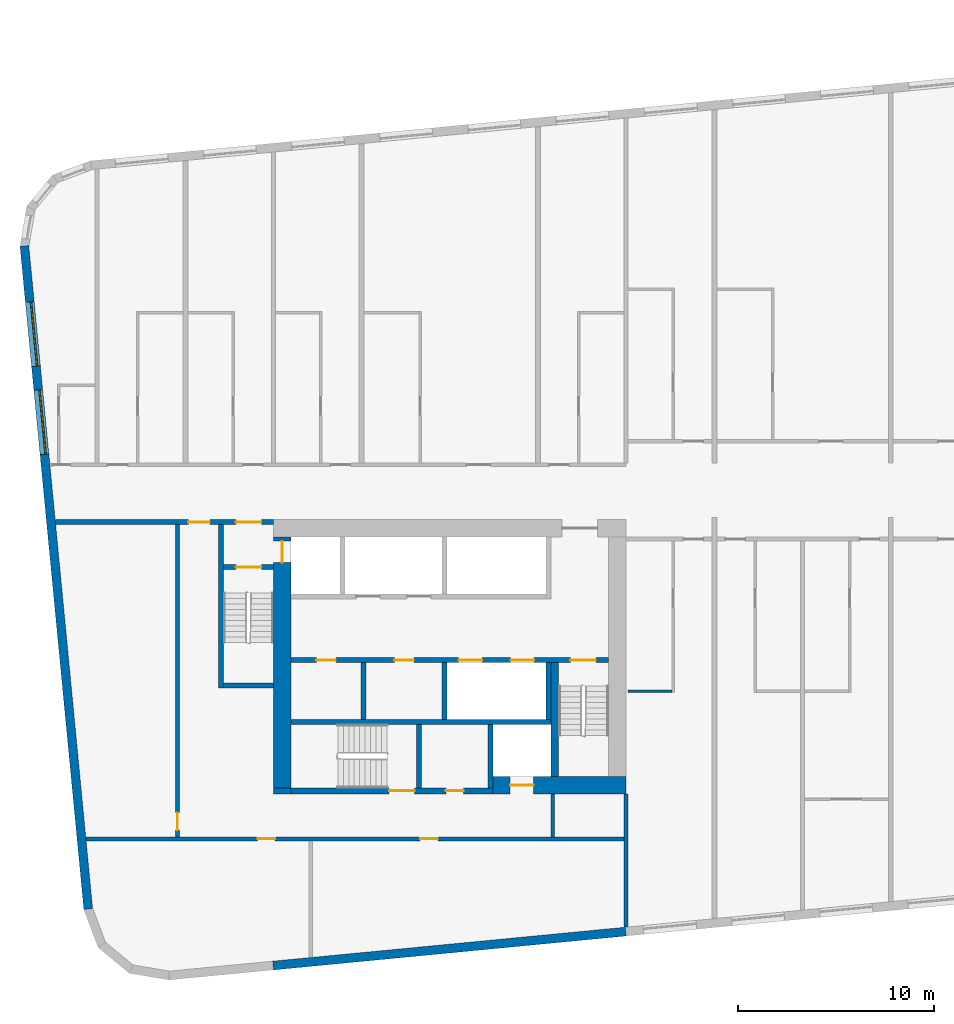
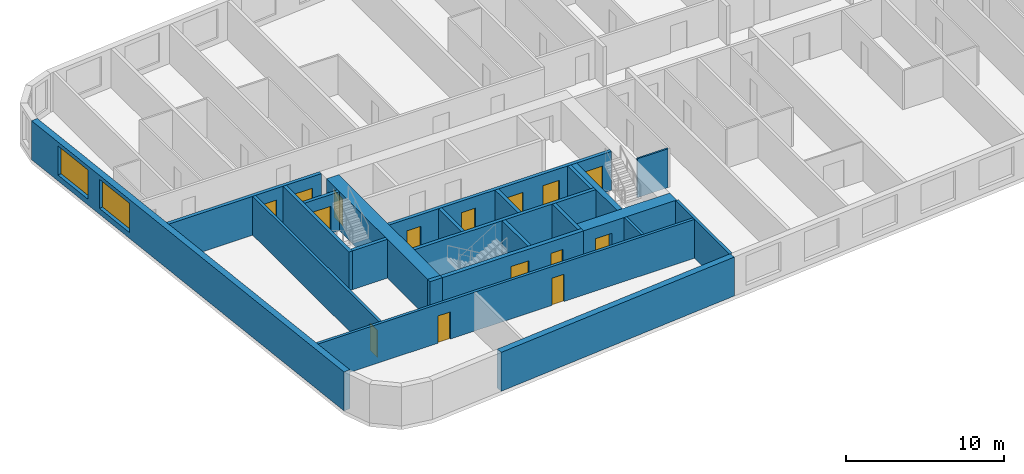
# One storey, part 2 of 12: 23 walls, 15 doors, 2 windows, 17 openings.
"""IFC4 building model written with IfcOpenShell, lengths in metres."""

import ifcopenshell
import ifcopenshell.guid

model = None  # the IFC model being written
_history = None  # IfcOwnerHistory: only IFC2X3 demands one
_inside = {}  # id of a spatial element -> (the spatial element, [elements in it])
_under = {}  # id of a project, library or spatial element -> (it, [spatial elements below it])
_declared = {}  # id of a project -> (the project, [libraries it declares])
_typed = {}  # id of a type object -> (the type object, [elements of that type])
_made_of = {}  # id of a material, layer set ... -> (it, [elements and type objects made of it])


def new_model(schema):
    """Start an empty IFC model of exactly this schema.

    Asked for "IFC4X3", IfcOpenShell would pick the latest addendum, in which some entities
    have other attributes; the version numbers below select the first issue.
    IFC2X3 requires an IfcOwnerHistory on every rooted entity: one is made here for all.
    """
    global model, _history
    if schema == "IFC4X3":
        model = ifcopenshell.file(schema_version=(4, 3, 0, 0))
    else:
        model = ifcopenshell.file(schema=schema)
    _inside.clear()
    _under.clear()
    _declared.clear()
    _typed.clear()
    _made_of.clear()
    _history = None
    if model.schema == "IFC2X3":
        org = make("IfcOrganization", Name="unknown")
        user = make(
            "IfcPersonAndOrganization",
            ThePerson=make("IfcPerson", FamilyName="unknown"),
            TheOrganization=org,
        )
        app = make(
            "IfcApplication",
            ApplicationDeveloper=org,
            Version="unknown",
            ApplicationFullName="unknown",
            ApplicationIdentifier="unknown",
        )
        _history = make(
            "IfcOwnerHistory",
            OwningUser=user,
            OwningApplication=app,
            ChangeAction="ADDED",
            CreationDate=0,
        )
    return model


def make(cls, **values):
    """One entity of the class cls with the attributes given. An attribute that is None is left unset."""
    return model.create_entity(
        cls, **{name: value for name, value in values.items() if value is not None}
    )


def rooted(cls, **values):
    """An entity with a GlobalId (a new one), such as an element, a storey or a relation."""
    return make(cls, GlobalId=ifcopenshell.guid.new(), OwnerHistory=_history, **values)


def si_unit(unit_type, name, prefix=None):
    """IfcSIUnit, for example si_unit("LENGTHUNIT", "METRE", prefix="MILLI")."""
    return make("IfcSIUnit", UnitType=unit_type, Prefix=prefix, Name=name)


def assignment(units):
    """IfcUnitAssignment: the units of a project."""
    return None if units is None else make("IfcUnitAssignment", Units=units)


def point(xyz):
    """IfcCartesianPoint."""
    return None if xyz is None else make("IfcCartesianPoint", Coordinates=xyz)


def direction(xyz):
    """IfcDirection."""
    return None if xyz is None else make("IfcDirection", DirectionRatios=xyz)


def frame(location, z_axis=None, x_axis=None):
    """IfcAxis2Placement3D, a coordinate frame: its origin and axes. An axis left out is left unset."""
    return make(
        "IfcAxis2Placement3D",
        Location=point(location),
        Axis=direction(z_axis),
        RefDirection=direction(x_axis),
    )


def frame_2d(location, x_axis=None):
    """IfcAxis2Placement2D, a coordinate frame in the plane: its origin and x axis."""
    return make(
        "IfcAxis2Placement2D", Location=point(location), RefDirection=direction(x_axis)
    )


def origin():
    """The frame at (0, 0, 0) with its axes left unset."""
    return frame((0.0, 0.0, 0.0))


def place(relative_to, where):
    """IfcLocalPlacement: puts the frame where relative to a parent placement (None: the world)."""
    return make(
        "IfcLocalPlacement", PlacementRelTo=relative_to, RelativePlacement=where
    )


def context(
    kind, dimensions, precision=None, world=None, true_north=None, identifier=None
):
    """IfcGeometricRepresentationContext, for example the 3D "Model" context."""
    return make(
        "IfcGeometricRepresentationContext",
        ContextIdentifier=identifier,
        ContextType=kind,
        CoordinateSpaceDimension=dimensions,
        Precision=precision,
        WorldCoordinateSystem=world,
        TrueNorth=true_north,
    )


def subcontext(parent, identifier, kind, view, scale=None):
    """IfcGeometricRepresentationSubContext, for example "Body" below "Model"."""
    return make(
        "IfcGeometricRepresentationSubContext",
        ContextIdentifier=identifier,
        ContextType=kind,
        ParentContext=parent,
        TargetScale=scale,
        TargetView=view,
    )


def project(units=None, contexts=None):
    """IfcProject with its units and contexts."""
    return rooted(
        "IfcProject",
        Name="project",
        RepresentationContexts=contexts,
        UnitsInContext=assignment(units),
    )


def spatial(cls, under=None, at=None, **own):
    """A site, building, storey or space (cls), placed at a placement, below another one or the project."""
    s = rooted(cls, ObjectPlacement=at, **own)
    if under is not None:
        _under.setdefault(under.id(), (under, []))[1].append(s)
    return s


def profile(cls, at=None, kind="AREA", **sizes):
    """A parametric profile (cls). Its sizes go by their IFC names, for example OverallWidth=200.0."""
    return make(cls, ProfileType=kind, Position=at, **sizes)


def rectangle(**sizes):
    """IfcRectangleProfileDef."""
    return profile("IfcRectangleProfileDef", **sizes)


def extrude(swept, where, along, depth):
    """IfcExtrudedAreaSolid: the profile swept, set in the frame where, extruded along a direction by depth."""
    return make(
        "IfcExtrudedAreaSolid",
        SweptArea=swept,
        Position=where,
        ExtrudedDirection=direction(along),
        Depth=depth,
    )


def shape(context_of_items, identifier, shape_type, items):
    """IfcShapeRepresentation: the items that make up one representation, for example the "Body"."""
    return make(
        "IfcShapeRepresentation",
        ContextOfItems=context_of_items,
        RepresentationIdentifier=identifier,
        RepresentationType=shape_type,
        Items=items,
    )


def material(Name=None, Category=None):
    """IfcMaterial."""
    return make("IfcMaterial", Name=Name, Category=Category)


def layer(
    of_material, thickness, ventilated=None, Name=None, Category=None, Priority=None
):
    """IfcMaterialLayer: one layer of a wall or slab, of a material (None: an air gap)."""
    return make(
        "IfcMaterialLayer",
        Material=of_material,
        LayerThickness=thickness,
        IsVentilated=ventilated,
        Name=Name,
        Category=Category,
        Priority=Priority,
    )


def layer_set(layers, Name=None):
    """IfcMaterialLayerSet."""
    return make("IfcMaterialLayerSet", MaterialLayers=layers, LayerSetName=Name)


def made_of(thing, what):
    """Note that an element or type object is made of a material, layer set ...; save() writes the relation."""
    if what is not None:
        _made_of.setdefault(what.id(), (what, []))[1].append(thing)
    return thing


def type_object(cls, material=None, **own):
    """A type object (cls), such as IfcWallType, which elements share."""
    return made_of(rooted(cls, **own), material)


def element(
    cls,
    number,
    at=None,
    inside=None,
    cuts=None,
    type_object=None,
    material=None,
    context=None,
    identifier="Body",
    shape_type=None,
    held_by="IfcProductDefinitionShape",
    body=None,
    shapes=None,
    **own,
):
    """One element of the class cls, such as IfcWall. Its Tag is "e" and its number.

    at: its placement. inside: the storey or other place that contains it. cuts: it is an
    opening in that element (IfcRelVoidsElement). A single representation is given by context,
    identifier, shape_type and body (its items); several are given by shapes. held_by: the class
    of the entity that holds the representations. save() writes the other relations.
    """
    e = rooted(cls, Tag="e%d" % number, ObjectPlacement=at, **own)
    if body is not None:
        shapes = [shape(context, identifier, shape_type, body)]
    if shapes is not None:
        e.Representation = make(held_by, Representations=shapes)
    if inside is not None:
        _inside.setdefault(inside.id(), (inside, []))[1].append(e)
    if cuts is not None:
        rooted(
            "IfcRelVoidsElement", RelatingBuildingElement=cuts, RelatedOpeningElement=e
        )
    if type_object is not None:
        _typed.setdefault(type_object.id(), (type_object, []))[1].append(e)
    return made_of(e, material)


def fill(opening, filler):
    """IfcRelFillsElement: the door or window that sits in an opening."""
    return rooted(
        "IfcRelFillsElement",
        RelatingOpeningElement=opening,
        RelatedBuildingElement=filler,
    )


def aggregate(whole, parts):
    """IfcRelAggregates: a whole, such as a stair, and the parts it consists of."""
    return rooted("IfcRelAggregates", RelatingObject=whole, RelatedObjects=parts)


def save(model, path):
    """Write the relations noted so far, then the file.

    IfcRelAggregates (storeys below a building ...), IfcRelContainedInSpatialStructure (elements
    in a storey), IfcRelDefinesByType, IfcRelAssociatesMaterial and IfcRelDeclares: one each for
    every whole, place, type object, material and project.
    """
    for whole, parts in _under.values():
        aggregate(whole, parts)
    for where, things in _inside.values():
        rooted(
            "IfcRelContainedInSpatialStructure",
            RelatedElements=things,
            RelatingStructure=where,
        )
    for kind, things in _typed.values():
        rooted("IfcRelDefinesByType", RelatedObjects=things, RelatingType=kind)
    for what, things in _made_of.values():
        rooted("IfcRelAssociatesMaterial", RelatedObjects=things, RelatingMaterial=what)
    for by, libraries in _declared.values():
        rooted("IfcRelDeclares", RelatingContext=by, RelatedDefinitions=libraries)
    model.write(path)


model = new_model("IFC4")

# Units and contexts
model_context = context("Model", 3, precision=1e-05, world=origin(), true_north=direction((0.0, 1.0)))
body_context = subcontext(model_context, "Body", "Model", "MODEL_VIEW")
ifc_project = project(units=[si_unit("LENGTHUNIT", "METRE"), si_unit("AREAUNIT", "SQUARE_METRE"), si_unit("VOLUMEUNIT", "CUBIC_METRE"), si_unit("PLANEANGLEUNIT", "RADIAN"), si_unit("MASSUNIT", "GRAM", prefix="KILO")], contexts=[model_context])

# Site, building, storey
site_placement = place(None, origin())
site = spatial("IfcSite", under=ifc_project, at=site_placement, CompositionType="ELEMENT")
building_placement = place(site_placement, origin())
building = spatial("IfcBuilding", under=site, at=building_placement, Name="Kajstack Hotel Tower", CompositionType="ELEMENT")
storey_placement = place(building_placement, frame((0.0, 0.0, 203.199951171875)))
storey = spatial("IfcBuildingStorey", under=building, at=storey_placement, Name="L49", CompositionType="ELEMENT", Elevation=203.199951171875)

# Wall, opening, door
ifc_material_1 = material(Name="Concrete C60/75", Category="concrete")
ifc_layer_1 = layer(ifc_material_1, 0.89990234375)
ifc_layer_set_1 = layer_set([ifc_layer_1], Name="Core wall 900")
wall_type_1 = type_object("IfcWallType", Name="Core wall 900", PredefinedType="SHEAR", material=ifc_layer_set_1)
wall_1_placement = place(storey_placement, frame((-20.300048828125, -15.050048828125, 0.0), z_axis=(0.0, 0.0, 1.0), x_axis=(1.0, 0.0, 0.0)))
wall_1 = element("IfcWall", 1, at=wall_1_placement, inside=storey, type_object=wall_type_1, Name="Core wall W RS", PredefinedType="SHEAR", context=body_context, shape_type="SweptSolid", body=[
    extrude(rectangle(XDim=6.800048828125, YDim=0.89990234375, at=frame_2d((3.39990234375, 0.0))), origin(), (0.0, 0.0, 1.0), 3.0),
])
opening_1_placement = place(wall_1_placement, frame((0.875, 0.0, 0.0)))
opening_1 = element("IfcOpeningElement", 2, at=opening_1_placement, cuts=wall_1, Name="Opening LD-SV1", PredefinedType="OPENING", context=body_context, shape_type="SweptSolid", body=[
    extrude(rectangle(XDim=1.199951171875, YDim=2.10009765625, at=frame_2d((0.60009765625, 1.050048828125))), frame((0.0, 0.4599609375, 0.0), z_axis=(0.0, -1.0, 0.0), x_axis=(1.0, 0.0, 0.0)), (0.0, 0.0, 1.0), 0.919921875),
])
ifc_material_2 = material(Name="Stainless steel", Category="steel")
door_type_1 = type_object("IfcDoorType", Name="Lift landing door 1200", OperationType="SLIDING_TO_LEFT", PredefinedType="DOOR", material=ifc_material_2)
door_1_placement = place(opening_1_placement, origin())
door_1 = element("IfcDoor", 3, at=door_1_placement, inside=storey, type_object=door_type_1, Name="Landing door SV1", OperationType="SLIDING_TO_LEFT", OverallHeight=2.10009765625, OverallWidth=1.199951171875, PredefinedType="DOOR", context=body_context, shape_type="SweptSolid", body=[
    extrude(rectangle(XDim=1.199951171875, YDim=2.10009765625, at=frame_2d((0.60009765625, 1.050048828125))), frame((0.0, 0.02490234375, 0.0), z_axis=(0.0, -1.0, 0.0), x_axis=(1.0, 0.0, 0.0)), (0.0, 0.0, 1.0), 0.050048828125),
])
fill(opening_1, door_1)

# Wall
wall_2_placement = place(storey_placement, frame((-31.5, -15.35009765625, 0.0), z_axis=(0.0, 0.0, 1.0), x_axis=(1.0, 0.0, 0.0)))
element("IfcWall", 4, at=wall_2_placement, inside=storey, type_object=wall_type_1, Name="Core wall W RSW", PredefinedType="SHEAR", context=body_context, shape_type="SweptSolid", body=[
    extrude(rectangle(XDim=0.89990234375, YDim=0.300048828125, at=frame_2d((0.449951171875, 0.0))), origin(), (0.0, 0.0, 1.0), 3.0),
])

# Wall, opening, door
wall_3_placement = place(storey_placement, frame((-31.050048828125, -15.199951171875, 0.0), z_axis=(0.0, 0.0, 1.0), x_axis=(0.0, 1.0, 0.0)))
wall_3 = element("IfcWall", 5, at=wall_3_placement, inside=storey, type_object=wall_type_1, Name="Core wall W RW", PredefinedType="SHEAR", context=body_context, shape_type="SweptSolid", body=[
    extrude(rectangle(XDim=12.800048828125, YDim=0.89990234375, at=frame_2d((6.39990234375, 0.0))), origin(), (0.0, 0.0, 1.0), 3.0),
])
opening_2_placement = place(wall_3_placement, frame((11.5, 0.0, 0.0)))
opening_2 = element("IfcOpeningElement", 6, at=opening_2_placement, cuts=wall_3, Name="Opening LD-FF1", PredefinedType="OPENING", context=body_context, shape_type="SweptSolid", body=[
    extrude(rectangle(XDim=1.10009765625, YDim=2.10009765625, at=frame_2d((0.550048828125, 1.050048828125))), frame((0.0, 0.4599609375, 0.0), z_axis=(0.0, -1.0, 0.0), x_axis=(1.0, 0.0, 0.0)), (0.0, 0.0, 1.0), 0.919921875),
])
door_type_2 = type_object("IfcDoorType", Name="Fire-fighting lift landing door 1100", OperationType="SLIDING_TO_LEFT", PredefinedType="DOOR", material=ifc_material_2)
door_2_placement = place(opening_2_placement, origin())
door_2 = element("IfcDoor", 7, at=door_2_placement, inside=storey, type_object=door_type_2, Name="Landing door FF1", OperationType="SLIDING_TO_RIGHT", OverallHeight=2.10009765625, OverallWidth=1.10009765625, PredefinedType="DOOR", context=body_context, shape_type="SweptSolid", body=[
    extrude(rectangle(XDim=1.10009765625, YDim=2.10009765625, at=frame_2d((0.550048828125, 1.050048828125))), frame((0.0, 0.02490234375, 0.0), z_axis=(0.0, -1.0, 0.0), x_axis=(1.0, 0.0, 0.0)), (0.0, 0.0, 1.0), 0.050048828125),
])
fill(opening_2, door_2)

# Walls
ifc_material_3 = material(Name="Twin-frame gypsum board on steel studs, mineral wool", Category="steel")
ifc_layer_2 = layer(ifc_material_3, 0.199951171875)
ifc_layer_set_2 = layer_set([ifc_layer_2], Name="Demising wall 200")
wall_type_2 = type_object("IfcWallType", Name="Demising wall 200", PredefinedType="PARTITIONING", material=ifc_layer_set_2)
wall_4_placement = place(storey_placement, frame((-13.5, -22.300048828125, 0.0), z_axis=(0.0, 0.0, 1.0), x_axis=(0.0, 1.0, 0.0)))
element("IfcWall", 8, at=wall_4_placement, inside=storey, type_object=wall_type_2, Name="G-wall-L49-002", PredefinedType="PARTITIONING", context=body_context, shape_type="SweptSolid", body=[
    extrude(rectangle(XDim=6.800048828125, YDim=0.199951171875, at=frame_2d((3.39990234375, 0.0))), origin(), (0.0, 0.0, 1.0), 3.0),
])
ifc_material_4 = material(Name="Concrete C40/50", Category="concrete")
ifc_layer_3 = layer(ifc_material_4, 0.449951171875)
ifc_layer_set_3 = layer_set([ifc_layer_3], Name="EW-CORE")
wall_type_3 = type_object("IfcWallType", Name="EW-CORE", PredefinedType="SOLIDWALL", material=ifc_layer_set_3)
wall_5_placement = place(storey_placement, frame((-31.521484375, -24.26171875, 0.0), z_axis=(0.0, 0.0, 1.0), x_axis=(0.995396454615, 0.095843091245, 0.0)))
element("IfcWall", 9, at=wall_5_placement, inside=storey, type_object=wall_type_3, Name="E-wall-L49-04-01", PredefinedType="SOLIDWALL", context=body_context, shape_type="SweptSolid", body=[
    extrude(rectangle(XDim=18.083251953125, YDim=0.449951171875, at=frame_2d((9.04150390625, 0.0))), origin(), (0.0, 0.0, 1.0), 3.0),
])

# Wall, openings, windows
ifc_material_5 = material(Name="Terracotta-faced brick masonry", Category="masonry")
ifc_layer_4 = layer(ifc_material_5, 0.449951171875)
ifc_layer_set_4 = layer_set([ifc_layer_4], Name="EW-TERRA")
wall_type_4 = type_object("IfcWallType", Name="EW-TERRA", PredefinedType="SOLIDWALL", material=ifc_layer_set_4)
wall_6_placement = place(storey_placement, frame((-44.21435546875, 12.465576171875, 0.0), z_axis=(0.0, 0.0, 1.0), x_axis=(0.095847314626, -0.995396047952, 0.0)))
wall_6 = element("IfcWall", 10, at=wall_6_placement, inside=storey, type_object=wall_type_4, Name="E-wall-L49-00-00", PredefinedType="SOLIDWALL", context=body_context, shape_type="SweptSolid", body=[
    extrude(rectangle(XDim=33.999755859375, YDim=0.449951171875, at=frame_2d((17.0, 0.0))), origin(), (0.0, 0.0, 1.0), 3.0),
])
opening_3_placement = place(wall_6_placement, frame((2.864990234375, 0.0, 0.449951171875)))
opening_3 = element("IfcOpeningElement", 11, at=opening_3_placement, cuts=wall_6, Name="Opening W2", PredefinedType="OPENING", context=body_context, shape_type="SweptSolid", body=[
    extrude(rectangle(XDim=3.300048828125, YDim=2.25, at=frame_2d((1.64990234375, 1.125))), frame((0.0, 0.23486328125, 0.0), z_axis=(0.0, -1.0, 0.0), x_axis=(1.0, 0.0, 0.0)), (0.0, 0.0, 1.0), 0.469970703125),
])
opening_4_placement = place(wall_6_placement, frame((7.3857421875, 0.0, 0.449951171875)))
opening_4 = element("IfcOpeningElement", 12, at=opening_4_placement, cuts=wall_6, Name="Opening W2", PredefinedType="OPENING", context=body_context, shape_type="SweptSolid", body=[
    extrude(rectangle(XDim=3.300048828125, YDim=2.25, at=frame_2d((1.64990234375, 1.125))), frame((0.0, 0.23486328125, 0.0), z_axis=(0.0, -1.0, 0.0), x_axis=(1.0, 0.0, 0.0)), (0.0, 0.0, 1.0), 0.469970703125),
])
ifc_material_6 = material(Name="Timber-aluminium window, triple glazed", Category="wood")
window_type = type_object("IfcWindowType", Name="WG2", PartitioningType="SINGLE_PANEL", PredefinedType="WINDOW", material=ifc_material_6)
window_1_placement = place(opening_3_placement, origin())
window_1 = element("IfcWindow", 13, at=window_1_placement, inside=storey, type_object=window_type, Name="Window W2 L49-00", OverallHeight=2.25, OverallWidth=3.300048828125, PartitioningType="SINGLE_PANEL", PredefinedType="WINDOW", context=body_context, shape_type="SweptSolid", body=[
    extrude(rectangle(XDim=3.300048828125, YDim=2.25, at=frame_2d((1.64990234375, 1.125))), frame((0.0, 0.090087890625, 0.0), z_axis=(0.0, -1.0, 0.0), x_axis=(1.0, 0.0, 0.0)), (0.0, 0.0, 1.0), 0.06005859375),
])
fill(opening_3, window_1)
window_2_placement = place(opening_4_placement, origin())
window_2 = element("IfcWindow", 14, at=window_2_placement, inside=storey, type_object=window_type, Name="Window W2 L49-00", OverallHeight=2.25, OverallWidth=3.300048828125, PartitioningType="SINGLE_PANEL", PredefinedType="WINDOW", context=body_context, shape_type="SweptSolid", body=[
    extrude(rectangle(XDim=3.300048828125, YDim=2.25, at=frame_2d((1.64990234375, 1.125))), frame((0.0, 0.090087890625, 0.0), z_axis=(0.0, -1.0, 0.0), x_axis=(1.0, 0.0, 0.0)), (0.0, 0.0, 1.0), 0.06005859375),
])
fill(opening_4, window_2)

# Walls
ifc_material_7 = material(Name="Gypsum board and tiled backer on steel studs", Category="steel")
ifc_layer_5 = layer(ifc_material_7, 0.125)
ifc_layer_set_5 = layer_set([ifc_layer_5], Name="En-suite wall 125")
wall_type_5 = type_object("IfcWallType", Name="En-suite wall 125", PredefinedType="PARTITIONING", material=ifc_layer_set_5)
wall_7_placement = place(storey_placement, frame((-13.39990234375, -10.261962890625, 0.0), z_axis=(0.0, 0.0, 1.0), x_axis=(1.0, 0.0, 0.0)))
element("IfcWall", 15, at=wall_7_placement, inside=storey, type_object=wall_type_5, Name="G-wall-L49-031", PredefinedType="PARTITIONING", context=body_context, shape_type="SweptSolid", body=[
    extrude(rectangle(XDim=2.25, YDim=0.125, at=frame_2d((1.125, 0.0))), origin(), (0.0, 0.0, 1.0), 3.0),
])
ifc_material_8 = material(Name="Concrete C50/60", Category="concrete")
ifc_layer_6 = layer(ifc_material_8, 0.300048828125)
ifc_layer_set_6 = layer_set([ifc_layer_6], Name="Hoistway divider wall 300")
wall_type_6 = type_object("IfcWallType", Name="Hoistway divider wall 300", PredefinedType="SHEAR", material=ifc_layer_set_6)
wall_8_placement = place(storey_placement, frame((-22.77490234375, -11.699951171875, 0.0), z_axis=(0.0, 0.0, 1.0), x_axis=(0.0, 1.0, 0.0)))
element("IfcWall", 16, at=wall_8_placement, inside=storey, type_object=wall_type_6, Name="Core wall W BP2", PredefinedType="SHEAR", context=body_context, shape_type="SweptSolid", body=[
    extrude(rectangle(XDim=2.89990234375, YDim=0.25, at=frame_2d((1.449951171875, 0.0))), origin(), (0.0, 0.0, 1.0), 3.0),
])
ifc_material_9 = material(Name="Concrete block masonry", Category="masonry")
ifc_layer_7 = layer(ifc_material_9, 0.25)
ifc_layer_set_7 = layer_set([ifc_layer_7], Name="Riser partition 250")
wall_type_7 = type_object("IfcWallType", Name="Riser partition 250", PredefinedType="PARTITIONING", material=ifc_layer_set_7)
wall_9_placement = place(storey_placement, frame((-26.89990234375, -11.699951171875, 0.0), z_axis=(0.0, 0.0, 1.0), x_axis=(0.0, 1.0, 0.0)))
element("IfcWall", 17, at=wall_9_placement, inside=storey, type_object=wall_type_7, Name="Partition W BF0", PredefinedType="PARTITIONING", context=body_context, shape_type="SweptSolid", body=[
    extrude(rectangle(XDim=2.89990234375, YDim=0.25, at=frame_2d((1.449951171875, 0.0))), origin(), (0.0, 0.0, 1.0), 3.0),
])

# Wall, openings, doors
ifc_material_10 = material(Name="Gypsum board on steel studs, mineral wool", Category="steel")
ifc_layer_8 = layer(ifc_material_10, 0.199951171875)
ifc_layer_set_8 = layer_set([ifc_layer_8], Name="Service partition 200")
wall_type_8 = type_object("IfcWallType", Name="Service partition 200", PredefinedType="PARTITIONING", material=ifc_layer_set_8)
wall_10_placement = place(storey_placement, frame((-42.631591796875, -1.625, 0.0), z_axis=(0.0, 0.0, 1.0), x_axis=(1.0, 0.0, 0.0)))
wall_10 = element("IfcWall", 18, at=wall_10_placement, inside=storey, type_object=wall_type_8, Name="Partition W SN", PredefinedType="PARTITIONING", context=body_context, shape_type="SweptSolid", body=[
    extrude(rectangle(XDim=11.131591796875, YDim=0.25, at=frame_2d((5.56591796875, 0.0))), origin(), (0.0, 0.0, 1.0), 3.0),
])
opening_5_placement = place(wall_10_placement, frame((9.20654296875, 0.0, 0.0)))
opening_5 = element("IfcOpeningElement", 19, at=opening_5_placement, cuts=wall_10, Name="Opening 49W08", PredefinedType="OPENING", context=body_context, shape_type="SweptSolid", body=[
    extrude(rectangle(XDim=1.300048828125, YDim=2.10009765625, at=frame_2d((0.64990234375, 1.050048828125))), frame((0.0, 0.135009765625, 0.0), z_axis=(0.0, -1.0, 0.0), x_axis=(1.0, 0.0, 0.0)), (0.0, 0.0, 1.0), 0.27001953125),
])
opening_6_placement = place(wall_10_placement, frame((6.781494140625, 0.0, 0.0)))
opening_6 = element("IfcOpeningElement", 20, at=opening_6_placement, cuts=wall_10, Name="Opening 49W10", PredefinedType="OPENING", context=body_context, shape_type="SweptSolid", body=[
    extrude(rectangle(XDim=1.10009765625, YDim=2.10009765625, at=frame_2d((0.550048828125, 1.050048828125))), frame((0.0, 0.135009765625, 0.0), z_axis=(0.0, -1.0, 0.0), x_axis=(1.0, 0.0, 0.0)), (0.0, 0.0, 1.0), 0.27001953125),
])
ifc_material_11 = material(Name="Steel leaf, fire-rated", Category="steel")
door_type_3 = type_object("IfcDoorType", Name="Fire lobby door 1300", OperationType="SINGLE_SWING_LEFT", PredefinedType="DOOR", material=ifc_material_11)
door_3_placement = place(opening_5_placement, origin())
door_3 = element("IfcDoor", 21, at=door_3_placement, inside=storey, type_object=door_type_3, Name="Door 49W08", OperationType="SINGLE_SWING_RIGHT", OverallHeight=2.10009765625, OverallWidth=1.300048828125, PredefinedType="DOOR", context=body_context, shape_type="SweptSolid", body=[
    extrude(rectangle(XDim=1.300048828125, YDim=2.10009765625, at=frame_2d((0.64990234375, 1.050048828125))), frame((0.0, 0.02490234375, 0.0), z_axis=(0.0, -1.0, 0.0), x_axis=(1.0, 0.0, 0.0)), (0.0, 0.0, 1.0), 0.050048828125),
])
fill(opening_5, door_3)
ifc_material_12 = material(Name="Timber leaf, fire-rated", Category="wood")
door_type_4 = type_object("IfcDoorType", Name="Service corridor door 1100", OperationType="SINGLE_SWING_LEFT", PredefinedType="DOOR", material=ifc_material_12)
door_4_placement = place(opening_6_placement, origin())
door_4 = element("IfcDoor", 22, at=door_4_placement, inside=storey, type_object=door_type_4, Name="Door 49W10", OperationType="SINGLE_SWING_RIGHT", OverallHeight=2.10009765625, OverallWidth=1.10009765625, PredefinedType="DOOR", context=body_context, shape_type="SweptSolid", body=[
    extrude(rectangle(XDim=1.10009765625, YDim=2.10009765625, at=frame_2d((0.550048828125, 1.050048828125))), frame((0.0, 0.02490234375, 0.0), z_axis=(0.0, -1.0, 0.0), x_axis=(1.0, 0.0, 0.0)), (0.0, 0.0, 1.0), 0.050048828125),
])
fill(opening_6, door_4)

# Wall
wall_11_placement = place(storey_placement, frame((-17.25, -17.699951171875, 0.0), z_axis=(0.0, 0.0, 1.0), x_axis=(0.0, 1.0, 0.0)))
element("IfcWall", 23, at=wall_11_placement, inside=storey, type_object=wall_type_8, Name="Partition W SCE", PredefinedType="PARTITIONING", context=body_context, shape_type="SweptSolid", body=[
    extrude(rectangle(XDim=2.199951171875, YDim=0.199951171875, at=frame_2d((1.10009765625, 0.0))), origin(), (0.0, 0.0, 1.0), 3.0),
])

# Wall, opening, door
wall_12_placement = place(storey_placement, frame((-36.39990234375, -17.699951171875, 0.0), z_axis=(0.0, 0.0, 1.0), x_axis=(0.0, 1.0, 0.0)))
wall_12 = element("IfcWall", 24, at=wall_12_placement, inside=storey, type_object=wall_type_8, Name="Partition W WRE", PredefinedType="PARTITIONING", context=body_context, shape_type="SweptSolid", body=[
    extrude(rectangle(XDim=15.949951171875, YDim=0.199951171875, at=frame_2d((7.97509765625, 0.0))), origin(), (0.0, 0.0, 1.0), 3.0),
])
opening_7_placement = place(wall_12_placement, frame((0.35009765625, 0.0, 0.0)))
opening_7 = element("IfcOpeningElement", 25, at=opening_7_placement, cuts=wall_12, Name="Opening 49W18", PredefinedType="OPENING", context=body_context, shape_type="SweptSolid", body=[
    extrude(rectangle(XDim=0.89990234375, YDim=2.10009765625, at=frame_2d((0.449951171875, 1.050048828125))), frame((0.0, 0.10986328125, 0.0), z_axis=(0.0, -1.0, 0.0), x_axis=(1.0, 0.0, 0.0)), (0.0, 0.0, 1.0), 0.219970703125),
])
door_type_5 = type_object("IfcDoorType", Name="Service door 900", OperationType="SINGLE_SWING_LEFT", PredefinedType="DOOR", material=ifc_material_12)
door_5_placement = place(opening_7_placement, origin())
door_5 = element("IfcDoor", 26, at=door_5_placement, inside=storey, type_object=door_type_5, Name="Door 49W18", OperationType="SINGLE_SWING_LEFT", OverallHeight=2.10009765625, OverallWidth=0.89990234375, PredefinedType="DOOR", context=body_context, shape_type="SweptSolid", body=[
    extrude(rectangle(XDim=0.89990234375, YDim=2.10009765625, at=frame_2d((0.449951171875, 1.050048828125))), frame((0.0, 0.02490234375, 0.0), z_axis=(0.0, -1.0, 0.0), x_axis=(1.0, 0.0, 0.0)), (0.0, 0.0, 1.0), 0.050048828125),
])
fill(opening_7, door_5)

# Wall, openings, doors
wall_13_placement = place(storey_placement, frame((-41.07421875, -17.800048828125, 0.0), z_axis=(0.0, 0.0, 1.0), x_axis=(1.0, 0.0, 0.0)))
wall_13 = element("IfcWall", 27, at=wall_13_placement, inside=storey, type_object=wall_type_8, Name="Partition W SLN", PredefinedType="PARTITIONING", context=body_context, shape_type="SweptSolid", body=[
    extrude(rectangle(XDim=27.47412109375, YDim=0.199951171875, at=frame_2d((13.737060546875, 0.0))), origin(), (0.0, 0.0, 1.0), 3.0),
])
opening_8_placement = place(wall_13_placement, frame((8.76171875, 0.0, 0.0)))
opening_8 = element("IfcOpeningElement", 28, at=opening_8_placement, cuts=wall_13, Name="Opening 49W16", PredefinedType="OPENING", context=body_context, shape_type="SweptSolid", body=[
    extrude(rectangle(XDim=0.89990234375, YDim=2.10009765625, at=frame_2d((0.449951171875, 1.050048828125))), frame((0.0, 0.10986328125, 0.0), z_axis=(0.0, -1.0, 0.0), x_axis=(1.0, 0.0, 0.0)), (0.0, 0.0, 1.0), 0.219970703125),
])
opening_9_placement = place(wall_13_placement, frame((17.0615234375, 0.0, 0.0)))
opening_9 = element("IfcOpeningElement", 29, at=opening_9_placement, cuts=wall_13, Name="Opening 49W17", PredefinedType="OPENING", context=body_context, shape_type="SweptSolid", body=[
    extrude(rectangle(XDim=0.89990234375, YDim=2.10009765625, at=frame_2d((0.449951171875, 1.050048828125))), frame((0.0, 0.10986328125, 0.0), z_axis=(0.0, -1.0, 0.0), x_axis=(1.0, 0.0, 0.0)), (0.0, 0.0, 1.0), 0.219970703125),
])
door_6_placement = place(opening_8_placement, origin())
door_6 = element("IfcDoor", 30, at=door_6_placement, inside=storey, type_object=door_type_5, Name="Door 49W16", OperationType="SINGLE_SWING_RIGHT", OverallHeight=2.10009765625, OverallWidth=0.89990234375, PredefinedType="DOOR", context=body_context, shape_type="SweptSolid", body=[
    extrude(rectangle(XDim=0.89990234375, YDim=2.10009765625, at=frame_2d((0.449951171875, 1.050048828125))), frame((0.0, 0.02490234375, 0.0), z_axis=(0.0, -1.0, 0.0), x_axis=(1.0, 0.0, 0.0)), (0.0, 0.0, 1.0), 0.050048828125),
])
fill(opening_8, door_6)
door_7_placement = place(opening_9_placement, origin())
door_7 = element("IfcDoor", 31, at=door_7_placement, inside=storey, type_object=door_type_5, Name="Door 49W17", OperationType="SINGLE_SWING_RIGHT", OverallHeight=2.10009765625, OverallWidth=0.89990234375, PredefinedType="DOOR", context=body_context, shape_type="SweptSolid", body=[
    extrude(rectangle(XDim=0.89990234375, YDim=2.10009765625, at=frame_2d((0.449951171875, 1.050048828125))), frame((0.0, 0.02490234375, 0.0), z_axis=(0.0, -1.0, 0.0), x_axis=(1.0, 0.0, 0.0)), (0.0, 0.0, 1.0), 0.050048828125),
])
fill(opening_9, door_7)

ifc_layer_9 = layer(ifc_material_8, 0.25)
ifc_layer_set_9 = layer_set([ifc_layer_9], Name="Shaft wall 250")
wall_type_9 = type_object("IfcWallType", Name="Shaft wall 250", PredefinedType="SHEAR", material=ifc_layer_set_9)
wall_14_placement = place(storey_placement, frame((-30.60009765625, -15.35009765625, 0.0), z_axis=(0.0, 0.0, 1.0), x_axis=(1.0, 0.0, 0.0)))
wall_14 = element("IfcWall", 32, at=wall_14_placement, inside=storey, type_object=wall_type_9, Name="Core wall W RSS", PredefinedType="SHEAR", context=body_context, shape_type="SweptSolid", body=[
    extrude(rectangle(XDim=10.300048828125, YDim=0.300048828125, at=frame_2d((5.14990234375, 0.0))), origin(), (0.0, 0.0, 1.0), 3.0),
])
opening_10_placement = place(wall_14_placement, frame((5.0, 0.0, 0.0)))
opening_10 = element("IfcOpeningElement", 33, at=opening_10_placement, cuts=wall_14, Name="Opening 49W12", PredefinedType="OPENING", context=body_context, shape_type="SweptSolid", body=[
    extrude(rectangle(XDim=1.300048828125, YDim=2.10009765625, at=frame_2d((0.64990234375, 1.050048828125))), frame((0.0, 0.159912109375, 0.0), z_axis=(0.0, -1.0, 0.0), x_axis=(1.0, 0.0, 0.0)), (0.0, 0.0, 1.0), 0.320068359375),
])
opening_11_placement = place(wall_14_placement, frame((7.89990234375, 0.0, 0.0)))
opening_11 = element("IfcOpeningElement", 34, at=opening_11_placement, cuts=wall_14, Name="Opening 49W13", PredefinedType="OPENING", context=body_context, shape_type="SweptSolid", body=[
    extrude(rectangle(XDim=0.89990234375, YDim=2.10009765625, at=frame_2d((0.449951171875, 1.050048828125))), frame((0.0, 0.159912109375, 0.0), z_axis=(0.0, -1.0, 0.0), x_axis=(1.0, 0.0, 0.0)), (0.0, 0.0, 1.0), 0.320068359375),
])
door_8_placement = place(opening_11_placement, origin())
door_8 = element("IfcDoor", 35, at=door_8_placement, inside=storey, type_object=door_type_5, Name="Door 49W13", OperationType="SINGLE_SWING_LEFT", OverallHeight=2.10009765625, OverallWidth=0.89990234375, PredefinedType="DOOR", context=body_context, shape_type="SweptSolid", body=[
    extrude(rectangle(XDim=0.89990234375, YDim=2.10009765625, at=frame_2d((0.449951171875, 1.050048828125))), frame((0.0, 0.02490234375, 0.0), z_axis=(0.0, -1.0, 0.0), x_axis=(1.0, 0.0, 0.0)), (0.0, 0.0, 1.0), 0.050048828125),
])
fill(opening_11, door_8)
door_type_6 = type_object("IfcDoorType", Name="Stair door 1300", OperationType="SINGLE_SWING_LEFT", PredefinedType="DOOR", material=ifc_material_11)
door_9_placement = place(opening_10_placement, origin())
door_9 = element("IfcDoor", 36, at=door_9_placement, inside=storey, type_object=door_type_6, Name="Door 49W12", OperationType="SINGLE_SWING_RIGHT", OverallHeight=2.10009765625, OverallWidth=1.300048828125, PredefinedType="DOOR", context=body_context, shape_type="SweptSolid", body=[
    extrude(rectangle(XDim=1.300048828125, YDim=2.10009765625, at=frame_2d((0.64990234375, 1.050048828125))), frame((0.0, 0.02490234375, 0.0), z_axis=(0.0, -1.0, 0.0), x_axis=(1.0, 0.0, 0.0)), (0.0, 0.0, 1.0), 0.050048828125),
])
fill(opening_10, door_9)

wall_15_placement = place(storey_placement, frame((-30.60009765625, -8.675048828125, 0.0), z_axis=(0.0, 0.0, 1.0), x_axis=(1.0, 0.0, 0.0)))
wall_15 = element("IfcWall", 37, at=wall_15_placement, inside=storey, type_object=wall_type_9, Name="Core wall W FB", PredefinedType="SHEAR", context=body_context, shape_type="SweptSolid", body=[
    extrude(rectangle(XDim=16.2001953125, YDim=0.25, at=frame_2d((8.10009765625, 0.0))), origin(), (0.0, 0.0, 1.0), 3.0),
])
opening_12_placement = place(wall_15_placement, frame((8.550048828125, 0.0, 0.0)))
opening_12 = element("IfcOpeningElement", 38, at=opening_12_placement, cuts=wall_15, Name="Opening LD-MR1", PredefinedType="OPENING", context=body_context, shape_type="SweptSolid", body=[
    extrude(rectangle(XDim=1.199951171875, YDim=2.10009765625, at=frame_2d((0.60009765625, 1.050048828125))), frame((0.0, 0.135009765625, 0.0), z_axis=(0.0, -1.0, 0.0), x_axis=(1.0, 0.0, 0.0)), (0.0, 0.0, 1.0), 0.27001953125),
])
opening_13_placement = place(wall_15_placement, frame((11.199951171875, 0.0, 0.0)))
opening_13 = element("IfcOpeningElement", 39, at=opening_13_placement, cuts=wall_15, Name="Opening LD-MR2", PredefinedType="OPENING", context=body_context, shape_type="SweptSolid", body=[
    extrude(rectangle(XDim=1.199951171875, YDim=2.10009765625, at=frame_2d((0.60009765625, 1.050048828125))), frame((0.0, 0.135009765625, 0.0), z_axis=(0.0, -1.0, 0.0), x_axis=(1.0, 0.0, 0.0)), (0.0, 0.0, 1.0), 0.27001953125),
])
opening_14_placement = place(wall_15_placement, frame((14.25, 0.0, 0.0)))
opening_14 = element("IfcOpeningElement", 40, at=opening_14_placement, cuts=wall_15, Name="Opening 49W11", PredefinedType="OPENING", context=body_context, shape_type="SweptSolid", body=[
    extrude(rectangle(XDim=1.300048828125, YDim=2.10009765625, at=frame_2d((0.64990234375, 1.050048828125))), frame((0.0, 0.135009765625, 0.0), z_axis=(0.0, -1.0, 0.0), x_axis=(1.0, 0.0, 0.0)), (0.0, 0.0, 1.0), 0.27001953125),
])
opening_15_placement = place(wall_15_placement, frame((1.28759765625, 0.0, 0.0)))
opening_15 = element("IfcOpeningElement", 41, at=opening_15_placement, cuts=wall_15, Name="Opening 49W14", PredefinedType="OPENING", context=body_context, shape_type="SweptSolid", body=[
    extrude(rectangle(XDim=1.0, YDim=2.10009765625, at=frame_2d((0.5, 1.050048828125))), frame((0.0, 0.135009765625, 0.0), z_axis=(0.0, -1.0, 0.0), x_axis=(1.0, 0.0, 0.0)), (0.0, 0.0, 1.0), 0.27001953125),
])
opening_16_placement = place(wall_15_placement, frame((5.262451171875, 0.0, 0.0)))
opening_16 = element("IfcOpeningElement", 42, at=opening_16_placement, cuts=wall_15, Name="Opening 49W15", PredefinedType="OPENING", context=body_context, shape_type="SweptSolid", body=[
    extrude(rectangle(XDim=1.0, YDim=2.10009765625, at=frame_2d((0.5, 1.050048828125))), frame((0.0, 0.135009765625, 0.0), z_axis=(0.0, -1.0, 0.0), x_axis=(1.0, 0.0, 0.0)), (0.0, 0.0, 1.0), 0.27001953125),
])
door_10_placement = place(opening_12_placement, origin())
door_10 = element("IfcDoor", 43, at=door_10_placement, inside=storey, type_object=door_type_1, Name="Landing door MR1", OperationType="SLIDING_TO_LEFT", OverallHeight=2.10009765625, OverallWidth=1.199951171875, PredefinedType="DOOR", context=body_context, shape_type="SweptSolid", body=[
    extrude(rectangle(XDim=1.199951171875, YDim=2.10009765625, at=frame_2d((0.60009765625, 1.050048828125))), frame((0.0, 0.02490234375, 0.0), z_axis=(0.0, -1.0, 0.0), x_axis=(1.0, 0.0, 0.0)), (0.0, 0.0, 1.0), 0.050048828125),
])
fill(opening_12, door_10)
door_11_placement = place(opening_13_placement, origin())
door_11 = element("IfcDoor", 44, at=door_11_placement, inside=storey, type_object=door_type_1, Name="Landing door MR2", OperationType="SLIDING_TO_RIGHT", OverallHeight=2.10009765625, OverallWidth=1.199951171875, PredefinedType="DOOR", context=body_context, shape_type="SweptSolid", body=[
    extrude(rectangle(XDim=1.199951171875, YDim=2.10009765625, at=frame_2d((0.60009765625, 1.050048828125))), frame((0.0, 0.02490234375, 0.0), z_axis=(0.0, -1.0, 0.0), x_axis=(1.0, 0.0, 0.0)), (0.0, 0.0, 1.0), 0.050048828125),
])
fill(opening_13, door_11)
door_type_7 = type_object("IfcDoorType", Name="Service room door 1000", OperationType="SINGLE_SWING_LEFT", PredefinedType="DOOR", material=ifc_material_12)
door_12_placement = place(opening_15_placement, origin())
door_12 = element("IfcDoor", 45, at=door_12_placement, inside=storey, type_object=door_type_7, Name="Door 49W14", OperationType="SINGLE_SWING_RIGHT", OverallHeight=2.10009765625, OverallWidth=1.0, PredefinedType="DOOR", context=body_context, shape_type="SweptSolid", body=[
    extrude(rectangle(XDim=1.0, YDim=2.10009765625, at=frame_2d((0.5, 1.050048828125))), frame((0.0, 0.02490234375, 0.0), z_axis=(0.0, -1.0, 0.0), x_axis=(1.0, 0.0, 0.0)), (0.0, 0.0, 1.0), 0.050048828125),
])
fill(opening_15, door_12)
door_13_placement = place(opening_16_placement, origin())
door_13 = element("IfcDoor", 46, at=door_13_placement, inside=storey, type_object=door_type_7, Name="Door 49W15", OperationType="SINGLE_SWING_RIGHT", OverallHeight=2.10009765625, OverallWidth=1.0, PredefinedType="DOOR", context=body_context, shape_type="SweptSolid", body=[
    extrude(rectangle(XDim=1.0, YDim=2.10009765625, at=frame_2d((0.5, 1.050048828125))), frame((0.0, 0.02490234375, 0.0), z_axis=(0.0, -1.0, 0.0), x_axis=(1.0, 0.0, 0.0)), (0.0, 0.0, 1.0), 0.050048828125),
])
fill(opening_16, door_13)
door_14_placement = place(opening_14_placement, origin())
door_14 = element("IfcDoor", 47, at=door_14_placement, inside=storey, type_object=door_type_6, Name="Door 49W11", OperationType="SINGLE_SWING_RIGHT", OverallHeight=2.10009765625, OverallWidth=1.300048828125, PredefinedType="DOOR", context=body_context, shape_type="SweptSolid", body=[
    extrude(rectangle(XDim=1.300048828125, YDim=2.10009765625, at=frame_2d((0.64990234375, 1.050048828125))), frame((0.0, 0.02490234375, 0.0), z_axis=(0.0, -1.0, 0.0), x_axis=(1.0, 0.0, 0.0)), (0.0, 0.0, 1.0), 0.050048828125),
])
fill(opening_14, door_14)

# Walls
wall_16_placement = place(storey_placement, frame((-30.60009765625, -11.824951171875, 0.0), z_axis=(0.0, 0.0, 1.0), x_axis=(1.0, 0.0, 0.0)))
element("IfcWall", 48, at=wall_16_placement, inside=storey, type_object=wall_type_9, Name="Core wall W RB", PredefinedType="SHEAR", context=body_context, shape_type="SweptSolid", body=[
    extrude(rectangle(XDim=13.25, YDim=0.25, at=frame_2d((6.625, 0.0))), origin(), (0.0, 0.0, 1.0), 3.0),
])
wall_17_placement = place(storey_placement, frame((-17.47509765625, -11.699951171875, 0.0), z_axis=(0.0, 0.0, 1.0), x_axis=(0.0, 1.0, 0.0)))
element("IfcWall", 49, at=wall_17_placement, inside=storey, type_object=wall_type_9, Name="Core wall W BE", PredefinedType="SHEAR", context=body_context, shape_type="SweptSolid", body=[
    extrude(rectangle(XDim=2.89990234375, YDim=0.25, at=frame_2d((1.449951171875, 0.0))), origin(), (0.0, 0.0, 1.0), 3.0),
])
wall_18_placement = place(storey_placement, frame((-20.425048828125, -15.199951171875, 0.0), z_axis=(0.0, 0.0, 1.0), x_axis=(0.0, 1.0, 0.0)))
element("IfcWall", 50, at=wall_18_placement, inside=storey, type_object=wall_type_9, Name="Core wall W SVW", PredefinedType="SHEAR", context=body_context, shape_type="SweptSolid", body=[
    extrude(rectangle(XDim=3.25, YDim=0.25, at=frame_2d((1.625, 0.0))), origin(), (0.0, 0.0, 1.0), 3.0),
])

# Wall, opening, door
ifc_layer_10 = layer(ifc_material_4, 0.25)
ifc_layer_set_10 = layer_set([ifc_layer_10], Name="Stair enclosure wall 250")
wall_type_10 = type_object("IfcWallType", Name="Stair enclosure wall 250", PredefinedType="SHEAR", material=ifc_layer_set_10)
wall_19_placement = place(storey_placement, frame((-34.050048828125, -3.925048828125, 0.0), z_axis=(0.0, 0.0, 1.0), x_axis=(1.0, 0.0, 0.0)))
wall_19 = element("IfcWall", 51, at=wall_19_placement, inside=storey, type_object=wall_type_10, Name="Core wall W W1N", PredefinedType="SHEAR", context=body_context, shape_type="SweptSolid", body=[
    extrude(rectangle(XDim=2.550048828125, YDim=0.25, at=frame_2d((1.27490234375, 0.0))), origin(), (0.0, 0.0, 1.0), 3.0),
])
opening_17_placement = place(wall_19_placement, frame((0.625, 0.0, 0.0)))
opening_17 = element("IfcOpeningElement", 52, at=opening_17_placement, cuts=wall_19, Name="Opening 49W09", PredefinedType="OPENING", context=body_context, shape_type="SweptSolid", body=[
    extrude(rectangle(XDim=1.300048828125, YDim=2.10009765625, at=frame_2d((0.64990234375, 1.050048828125))), frame((0.0, 0.135009765625, 0.0), z_axis=(0.0, -1.0, 0.0), x_axis=(1.0, 0.0, 0.0)), (0.0, 0.0, 1.0), 0.27001953125),
])
door_15_placement = place(opening_17_placement, origin())
door_15 = element("IfcDoor", 53, at=door_15_placement, inside=storey, type_object=door_type_6, Name="Door 49W09", OperationType="SINGLE_SWING_RIGHT", OverallHeight=2.10009765625, OverallWidth=1.300048828125, PredefinedType="DOOR", context=body_context, shape_type="SweptSolid", body=[
    extrude(rectangle(XDim=1.300048828125, YDim=2.10009765625, at=frame_2d((0.64990234375, 1.050048828125))), frame((0.0, 0.02490234375, 0.0), z_axis=(0.0, -1.0, 0.0), x_axis=(1.0, 0.0, 0.0)), (0.0, 0.0, 1.0), 0.050048828125),
])
fill(opening_17, door_15)

# Walls
wall_20_placement = place(storey_placement, frame((-34.175048828125, -10.10009765625, 0.0), z_axis=(0.0, 0.0, 1.0), x_axis=(0.0, 1.0, 0.0)))
element("IfcWall", 54, at=wall_20_placement, inside=storey, type_object=wall_type_10, Name="Core wall W W1W", PredefinedType="SHEAR", context=body_context, shape_type="SweptSolid", body=[
    extrude(rectangle(XDim=8.35009765625, YDim=0.25, at=frame_2d((4.175048828125, 0.0))), origin(), (0.0, 0.0, 1.0), 3.0),
])
wall_21_placement = place(storey_placement, frame((-34.050048828125, -9.97509765625, 0.0), z_axis=(0.0, 0.0, 1.0), x_axis=(1.0, 0.0, 0.0)))
element("IfcWall", 55, at=wall_21_placement, inside=storey, type_object=wall_type_10, Name="Core wall W W1S", PredefinedType="SHEAR", context=body_context, shape_type="SweptSolid", body=[
    extrude(rectangle(XDim=2.550048828125, YDim=0.25, at=frame_2d((1.27490234375, 0.0))), origin(), (0.0, 0.0, 1.0), 3.0),
])
ifc_layer_11 = layer(ifc_material_8, 0.35009765625)
ifc_layer_set_11 = layer_set([ifc_layer_11], Name="Stair enclosure wall 350")
wall_type_11 = type_object("IfcWallType", Name="Stair enclosure wall 350", PredefinedType="SHEAR", material=ifc_layer_set_11)
wall_22_placement = place(storey_placement, frame((-24.074951171875, -15.199951171875, 0.0), z_axis=(0.0, 0.0, 1.0), x_axis=(0.0, 1.0, 0.0)))
element("IfcWall", 56, at=wall_22_placement, inside=storey, type_object=wall_type_11, Name="Core wall W W3E", PredefinedType="SHEAR", context=body_context, shape_type="SweptSolid", body=[
    extrude(rectangle(XDim=3.25, YDim=0.25, at=frame_2d((1.625, 0.0))), origin(), (0.0, 0.0, 1.0), 3.0),
])
ifc_layer_12 = layer(ifc_material_8, 0.39990234375)
ifc_layer_set_12 = layer_set([ifc_layer_12], Name="Stair wall 400")
wall_type_12 = type_object("IfcWallType", Name="Stair wall 400", PredefinedType="SHEAR", material=ifc_layer_set_12)
wall_23_placement = place(storey_placement, frame((-17.14990234375, -14.60009765625, 0.0), z_axis=(0.0, 0.0, 1.0), x_axis=(0.0, 1.0, 0.0)))
element("IfcWall", 57, at=wall_23_placement, inside=storey, type_object=wall_type_12, Name="Core wall W WW2", PredefinedType="SHEAR", context=body_context, shape_type="SweptSolid", body=[
    extrude(rectangle(XDim=5.800048828125, YDim=0.39990234375, at=frame_2d((2.89990234375, 0.0))), origin(), (0.0, 0.0, 1.0), 3.0),
])

save(model, "model.ifc")
